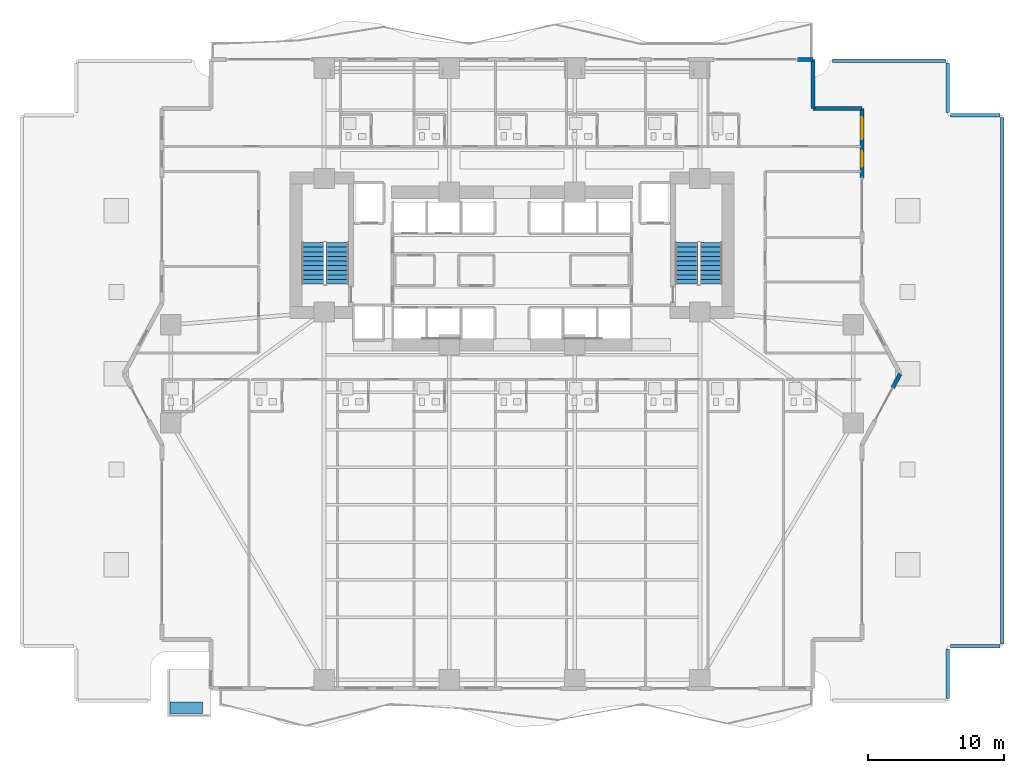
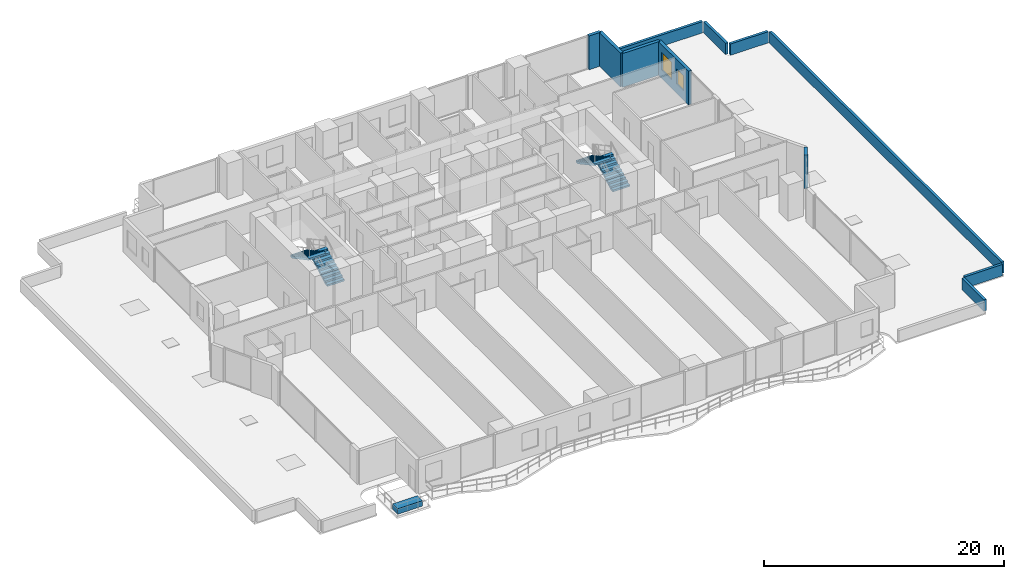
# One storey, part 25 of 30: 11 walls, 4 stair flights, 2 windows, 1 building element part, 2 openings, 2 elements without a shape of their own.
"""IFC4 building model written with IfcOpenShell, lengths in metres."""

from ifc_helpers import new_model, si_unit, direction, frame, frame_2d, origin, origin_2d, place, context, subcontext, project, spatial, polyline, rectangle, outline, extrude, material, layer, layer_set, type_object, element, fill, aggregate, save


model = new_model("IFC4")

# Units and contexts
model_context = context("Model", 3, precision=1e-05, world=origin(), true_north=direction((0.0, 1.0)))
body_context = subcontext(model_context, "Body", "Model", "MODEL_VIEW")
ifc_project = project(units=[si_unit("LENGTHUNIT", "METRE"), si_unit("AREAUNIT", "SQUARE_METRE"), si_unit("VOLUMEUNIT", "CUBIC_METRE"), si_unit("PLANEANGLEUNIT", "RADIAN"), si_unit("MASSUNIT", "GRAM", prefix="KILO")], contexts=[model_context])

# Site, building, storey
site_placement = place(None, origin())
site = spatial("IfcSite", under=ifc_project, at=site_placement, CompositionType="ELEMENT")
building_placement = place(site_placement, origin())
building = spatial("IfcBuilding", under=site, at=building_placement, Name="Zuhayl Quay Hotel", CompositionType="ELEMENT")
storey_placement = place(building_placement, frame((0.0, 0.0, 27.60009765625)))
storey = spatial("IfcBuildingStorey", under=building, at=storey_placement, Name="L05", CompositionType="ELEMENT", Elevation=27.60009765625)

# Walls
ifc_material_1 = material(Name="Precast concrete C45/55", Category="concrete")
ifc_layer_1 = layer(ifc_material_1, 0.300048828125, Name="Precast concrete C45/55", Category="concrete")
ifc_layer_set_1 = layer_set([ifc_layer_1], Name="Precast concrete C45/55")
wall_type_1 = type_object("IfcWallType", Name="WL_EXT_300", PredefinedType="STANDARD", material=ifc_layer_set_1)
wall_1_placement = place(storey_placement, frame((20.949951171875, 23.10009765625, 0.0), z_axis=(0.0, 0.0, 1.0), x_axis=(1.0, 0.0, 0.0)))
element("IfcWall", 1, at=wall_1_placement, inside=storey, type_object=wall_type_1, Name="L05 Exterior Precast Wall ENV_L05_N_EW5", PredefinedType="STANDARD", context=body_context, shape_type="SweptSolid", body=[
    extrude(rectangle(XDim=1.150146484375, YDim=0.300048828125, at=frame_2d((0.5751953125, 0.0))), origin(), (0.0, 0.0, 1.0), 3.429931640625),
])
wall_2_placement = place(storey_placement, frame((22.10009765625, 23.10009765625, 0.0), z_axis=(0.0, 0.0, 1.0), x_axis=(0.0, -1.0, 0.0)))
element("IfcWall", 2, at=wall_2_placement, inside=storey, type_object=wall_type_1, Name="L05 Exterior Precast Wall ENV_L05_EW09", PredefinedType="STANDARD", context=body_context, shape_type="SweptSolid", body=[
    extrude(rectangle(XDim=3.60009765625, YDim=0.300048828125, at=frame_2d((1.800048828125, 0.0))), origin(), (0.0, 0.0, 1.0), 3.429931640625),
])
wall_3_placement = place(storey_placement, frame((22.10009765625, 19.5, 0.0), z_axis=(0.0, 0.0, 1.0), x_axis=(1.0, 0.0, 0.0)))
element("IfcWall", 3, at=wall_3_placement, inside=storey, type_object=wall_type_1, Name="L05 Exterior Precast Wall ENV_L05_EW10", PredefinedType="STANDARD", context=body_context, shape_type="SweptSolid", body=[
    extrude(rectangle(XDim=3.599853515625, YDim=0.300048828125, at=frame_2d((1.7998046875, 0.0))), origin(), (0.0, 0.0, 1.0), 3.429931640625),
])

# Wall, openings, windows
wall_4_placement = place(storey_placement, frame((25.699951171875, 19.5, 0.0), z_axis=(0.0, 0.0, 1.0), x_axis=(0.0, -1.0, 0.0)))
wall_4 = element("IfcWall", 4, at=wall_4_placement, inside=storey, type_object=wall_type_1, Name="L05 Exterior Precast Wall ENV_L05_E11_EW1", PredefinedType="STANDARD", context=body_context, shape_type="SweptSolid", body=[
    extrude(rectangle(XDim=5.10009765625, YDim=0.300048828125, at=frame_2d((2.550048828125, 0.0))), origin(), (0.0, 0.0, 1.0), 3.429931640625),
])
opening_1_placement = place(wall_4_placement, frame((0.659912109375, 0.0, 0.85009765625)))
opening_1 = element("IfcOpeningElement", 5, at=opening_1_placement, cuts=wall_4, Name="Opening W01", PredefinedType="OPENING", context=body_context, shape_type="SweptSolid", body=[
    extrude(rectangle(XDim=1.60009765625, YDim=1.800048828125, at=frame_2d((0.800048828125, 0.89990234375))), frame((0.0, 0.159912109375, 0.0), z_axis=(0.0, -1.0, 0.0), x_axis=(1.0, 0.0, 0.0)), (0.0, 0.0, 1.0), 0.320068359375),
])
opening_2_placement = place(wall_4_placement, frame((3.14990234375, 0.0, 0.949951171875)))
opening_2 = element("IfcOpeningElement", 6, at=opening_2_placement, cuts=wall_4, Name="Opening W01N", PredefinedType="OPENING", context=body_context, shape_type="SweptSolid", body=[
    extrude(rectangle(XDim=1.14990234375, YDim=1.550048828125, at=frame_2d((0.574951171875, 0.77490234375))), frame((0.0, 0.159912109375, 0.0), z_axis=(0.0, -1.0, 0.0), x_axis=(1.0, 0.0, 0.0)), (0.0, 0.0, 1.0), 0.320068359375),
])
ifc_material_2 = material(Name="Dark Ceramic-Fritted Solar Glass", Category="glass")
window_type_1 = type_object("IfcWindowType", Name="WN_NOTCH_1350", PartitioningType="SINGLE_PANEL", PredefinedType="WINDOW", material=ifc_material_2)
window_1_placement = place(opening_2_placement, origin())
window_1 = element("IfcWindow", 7, at=window_1_placement, inside=storey, type_object=window_type_1, Name="L05 Operable Facade Window 1-2", OverallHeight=1.550048828125, OverallWidth=1.14990234375, PartitioningType="SINGLE_PANEL", PredefinedType="WINDOW", context=body_context, shape_type="SweptSolid", body=[
    extrude(rectangle(XDim=1.14990234375, YDim=1.550048828125, at=frame_2d((0.574951171875, 0.77490234375))), frame((0.0, 0.030029296875, 0.0), z_axis=(0.0, -1.0, 0.0), x_axis=(1.0, 0.0, 0.0)), (0.0, 0.0, 1.0), 0.06005859375),
])
fill(opening_2, window_1)
window_type_2 = type_object("IfcWindowType", Name="WN_OPERABLE_1600", PartitioningType="DOUBLE_PANEL_VERTICAL", PredefinedType="WINDOW", material=ifc_material_2)
window_2_placement = place(opening_1_placement, origin())
window_2 = element("IfcWindow", 8, at=window_2_placement, inside=storey, type_object=window_type_2, Name="L05 Operable Facade Window 1-1", OverallHeight=1.800048828125, OverallWidth=1.60009765625, PartitioningType="SINGLE_PANEL", PredefinedType="WINDOW", context=body_context, shape_type="SweptSolid", body=[
    extrude(rectangle(XDim=1.60009765625, YDim=1.800048828125, at=frame_2d((0.800048828125, 0.89990234375))), frame((0.0, 0.030029296875, 0.0), z_axis=(0.0, -1.0, 0.0), x_axis=(1.0, 0.0, 0.0)), (0.0, 0.0, 1.0), 0.06005859375),
])
fill(opening_1, window_2)

# Walls
wall_5_placement = place(storey_placement, frame((28.5, 0.0, 0.0), z_axis=(0.0, 0.0, 1.0), x_axis=(-0.474099823035, -0.880471099922, 0.0)))
element("IfcWall", 9, at=wall_5_placement, inside=storey, type_object=wall_type_1, Name="L05 Exterior Precast Wall ENV_L05_E13_EW1", PredefinedType="STANDARD", context=body_context, shape_type="SweptSolid", body=[
    extrude(rectangle(XDim=1.14990234375, YDim=0.300048828125, at=frame_2d((0.574951171875, 0.0))), origin(), (0.0, 0.0, 1.0), 3.429931640625),
])
ifc_layer_2 = layer(ifc_material_1, 0.25, Name="Precast concrete C45/55", Category="concrete")
ifc_layer_set_2 = layer_set([ifc_layer_2], Name="Precast concrete C45/55")
wall_type_2 = type_object("IfcWallType", Name="WL_PARAPET_250", PredefinedType="PARAPET", material=ifc_layer_set_2)
wall_6_placement = place(storey_placement, frame((23.525146484375, 23.0, 0.0), z_axis=(0.0, 0.0, 1.0), x_axis=(1.0, 0.0, 0.0)))
element("IfcWall", 10, at=wall_6_placement, inside=storey, type_object=wall_type_2, Name="L05 Setback Roof Parapet 2-43", PredefinedType="PARAPET", context=body_context, shape_type="SweptSolid", body=[
    extrude(rectangle(XDim=8.294921875, YDim=0.25, at=frame_2d((4.1474609375, 0.0))), origin(), (0.0, 0.0, 1.0), 1.14990234375),
])
for number, where, z_axis, x_axis, name in (
    (11, (32.0, 22.820068359375, 0.0), (0.0, 0.0, 1.0), (0.0, -1.0, 0.0), "L05 Setback Roof Parapet 2-44"),
    (12, (32.179931640625, 19.0, 0.0), (0.0, 0.0, 1.0), (1.0, 0.0, 0.0), "L05 Setback Roof Parapet 2-45"),
):
    element("IfcWall", number, at=place(storey_placement, frame(where, z_axis=z_axis, x_axis=x_axis)), inside=storey, type_object=wall_type_2, Name=name, PredefinedType="PARAPET", context=body_context, shape_type="SweptSolid", body=[
        extrude(rectangle(XDim=3.64013671875, YDim=0.25, at=frame_2d((1.820068359375, 0.0))), origin(), (0.0, 0.0, 1.0), 1.14990234375),
    ])
wall_7_placement = place(storey_placement, frame((36.0, 18.820068359375, 0.0), z_axis=(0.0, 0.0, 1.0), x_axis=(0.0, -1.0, 0.0)))
element("IfcWall", 13, at=wall_7_placement, inside=storey, type_object=wall_type_2, Name="L05 Setback Roof Parapet 2-46", PredefinedType="PARAPET", context=body_context, shape_type="SweptSolid", body=[
    extrude(rectangle(XDim=38.64013671875, YDim=0.25, at=frame_2d((19.320068359375, 0.0))), origin(), (0.0, 0.0, 1.0), 1.14990234375),
])
for number, where, z_axis, x_axis, name in (
    (14, (35.820068359375, -20.0, 0.0), (0.0, 0.0, 1.0), (-1.0, 0.0, 0.0), "L05 Setback Roof Parapet 2-47"),
    (15, (32.0, -20.179931640625, 0.0), (0.0, 0.0, 1.0), (0.0, -1.0, 0.0), "L05 Setback Roof Parapet 2-48"),
):
    element("IfcWall", number, at=place(storey_placement, frame(where, z_axis=z_axis, x_axis=x_axis)), inside=storey, type_object=wall_type_2, Name=name, PredefinedType="PARAPET", context=body_context, shape_type="SweptSolid", body=[
        extrude(rectangle(XDim=3.64013671875, YDim=0.25, at=frame_2d((1.820068359375, 0.0))), origin(), (0.0, 0.0, 1.0), 1.14990234375),
    ])

# Stair, stair flights
ifc_material_3 = material(Name="Concrete C45/55", Category="concrete")
stair_type = type_object("IfcStairType", Name="ST_DOGLEG_TOWER", PredefinedType="HALF_TURN_STAIR", material=ifc_material_3)
stair_1_placement = place(storey_placement, origin())
stair_1 = element("IfcStair", 16, at=stair_1_placement, inside=storey, type_object=stair_type, Name="L05 Smokeproof Exit Stair ST1", PredefinedType="HALF_TURN_STAIR")
ifc_layer_3 = layer(ifc_material_3, 0.159912109375, Name="Concrete C45/55", Category="concrete")
ifc_layer_set_3 = layer_set([ifc_layer_3], Name="Concrete C45/55")
stair_flight_type = type_object("IfcStairFlightType", Name="SF_CONC_164", PredefinedType="STRAIGHT", material=ifc_layer_set_3)
stair_flight_1_placement = place(storey_placement, frame((-12.820068359375, 6.590087890625, 0.0), z_axis=(0.0, 0.0, 1.0), x_axis=(0.0, 1.0, 0.0)))
stair_flight_1 = element("IfcStairFlight", 17, at=stair_flight_1_placement, type_object=stair_flight_type, Name="ST1 flight 1", NumberOfRisers=10, NumberOfTreads=9, PredefinedType="STRAIGHT", RiserHeight=0.1825, TreadLength=0.34, context=body_context, shape_type="SweptSolid", body=[
    extrude(outline(polyline([(0.0, 0.0), (0.0, 0.1826171875), (0.340087890625, 0.1826171875), (0.340087890625, 0.364990234375), (0.679931640625, 0.364990234375), (0.679931640625, 0.547607421875), (1.02001953125, 0.547607421875), (1.02001953125, 0.72998046875), (1.360107421875, 0.72998046875), (1.360107421875, 0.91259765625), (1.699951171875, 0.91259765625), (1.699951171875, 1.094970703125), (2.0400390625, 1.094970703125), (2.0400390625, 1.277587890625), (2.3798828125, 1.277587890625), (2.3798828125, 1.4599609375), (2.719970703125, 1.4599609375), (2.719970703125, 1.642578125), (3.06005859375, 1.642578125), (3.06005859375, 1.824951171875), (3.06005859375, 1.472412109375), (0.31689453125, 0.0), (0.0, 0.0)])), frame((0.0, 0.81982421875, 0.0), z_axis=(0.0, -1.0, 0.0), x_axis=(1.0, 0.0, 0.0)), (0.0, 0.0, 1.0), 1.639892578125),
])
stair_flight_2_placement = place(storey_placement, frame((-14.610107421875, 9.64990234375, 1.824951171875), z_axis=(0.0, 0.0, 1.0), x_axis=(0.0, -1.0, 0.0)))
stair_flight_2 = element("IfcStairFlight", 18, at=stair_flight_2_placement, type_object=stair_flight_type, Name="ST1 flight 2", NumberOfRisers=10, NumberOfTreads=9, PredefinedType="STRAIGHT", RiserHeight=0.1825, TreadLength=0.34, context=body_context, shape_type="SweptSolid", body=[
    extrude(outline(polyline([(0.0, 0.0), (0.0, 0.1826171875), (0.340087890625, 0.1826171875), (0.340087890625, 0.364990234375), (0.679931640625, 0.364990234375), (0.679931640625, 0.547607421875), (1.02001953125, 0.547607421875), (1.02001953125, 0.72998046875), (1.360107421875, 0.72998046875), (1.360107421875, 0.91259765625), (1.699951171875, 0.91259765625), (1.699951171875, 1.094970703125), (2.0400390625, 1.094970703125), (2.0400390625, 1.277587890625), (2.3798828125, 1.277587890625), (2.3798828125, 1.4599609375), (2.719970703125, 1.4599609375), (2.719970703125, 1.642578125), (3.06005859375, 1.642578125), (3.06005859375, 1.824951171875), (3.06005859375, 1.472412109375), (0.31689453125, 0.0), (0.0, 0.0)])), frame((0.0, 0.81982421875, 0.0), z_axis=(0.0, -1.0, 0.0), x_axis=(1.0, 0.0, 0.0)), (0.0, 0.0, 1.0), 1.639892578125),
])
aggregate(stair_1, [stair_flight_1, stair_flight_2])

stair_2_placement = place(storey_placement, origin())
stair_2 = element("IfcStair", 19, at=stair_2_placement, inside=storey, type_object=stair_type, Name="L05 Smokeproof Exit Stair ST2", PredefinedType="HALF_TURN_STAIR")
stair_flight_3_placement = place(storey_placement, frame((14.610107421875, 6.590087890625, 0.0), z_axis=(0.0, 0.0, 1.0), x_axis=(0.0, 1.0, 0.0)))
stair_flight_3 = element("IfcStairFlight", 20, at=stair_flight_3_placement, type_object=stair_flight_type, Name="ST2 flight 1", NumberOfRisers=10, NumberOfTreads=9, PredefinedType="STRAIGHT", RiserHeight=0.1825, TreadLength=0.34, context=body_context, shape_type="SweptSolid", body=[
    extrude(outline(polyline([(0.0, 0.0), (0.0, 0.1826171875), (0.340087890625, 0.1826171875), (0.340087890625, 0.364990234375), (0.679931640625, 0.364990234375), (0.679931640625, 0.547607421875), (1.02001953125, 0.547607421875), (1.02001953125, 0.72998046875), (1.360107421875, 0.72998046875), (1.360107421875, 0.91259765625), (1.699951171875, 0.91259765625), (1.699951171875, 1.094970703125), (2.0400390625, 1.094970703125), (2.0400390625, 1.277587890625), (2.3798828125, 1.277587890625), (2.3798828125, 1.4599609375), (2.719970703125, 1.4599609375), (2.719970703125, 1.642578125), (3.06005859375, 1.642578125), (3.06005859375, 1.824951171875), (3.06005859375, 1.472412109375), (0.31689453125, 0.0), (0.0, 0.0)])), frame((0.0, 0.81982421875, 0.0), z_axis=(0.0, -1.0, 0.0), x_axis=(1.0, 0.0, 0.0)), (0.0, 0.0, 1.0), 1.639892578125),
])
stair_flight_4_placement = place(storey_placement, frame((12.820068359375, 9.64990234375, 1.824951171875), z_axis=(0.0, 0.0, 1.0), x_axis=(0.0, -1.0, 0.0)))
stair_flight_4 = element("IfcStairFlight", 21, at=stair_flight_4_placement, type_object=stair_flight_type, Name="ST2 flight 2", NumberOfRisers=10, NumberOfTreads=9, PredefinedType="STRAIGHT", RiserHeight=0.1825, TreadLength=0.34, context=body_context, shape_type="SweptSolid", body=[
    extrude(outline(polyline([(0.0, 0.0), (0.0, 0.1826171875), (0.340087890625, 0.1826171875), (0.340087890625, 0.364990234375), (0.679931640625, 0.364990234375), (0.679931640625, 0.547607421875), (1.02001953125, 0.547607421875), (1.02001953125, 0.72998046875), (1.360107421875, 0.72998046875), (1.360107421875, 0.91259765625), (1.699951171875, 0.91259765625), (1.699951171875, 1.094970703125), (2.0400390625, 1.094970703125), (2.0400390625, 1.277587890625), (2.3798828125, 1.277587890625), (2.3798828125, 1.4599609375), (2.719970703125, 1.4599609375), (2.719970703125, 1.642578125), (3.06005859375, 1.642578125), (3.06005859375, 1.824951171875), (3.06005859375, 1.472412109375), (0.31689453125, 0.0), (0.0, 0.0)])), frame((0.0, 0.81982421875, 0.0), z_axis=(0.0, -1.0, 0.0), x_axis=(1.0, 0.0, 0.0)), (0.0, 0.0, 1.0), 1.639892578125),
])
aggregate(stair_2, [stair_flight_3, stair_flight_4])

# Building element part
ifc_layer_4 = layer(ifc_material_1, 0.550048828125, Name="Precast concrete C45/55", Category="concrete")
ifc_layer_set_4 = layer_set([ifc_layer_4], Name="Precast concrete C45/55")
building_element_part_type = type_object("IfcBuildingElementPartType", Name="PT_PLANTER_KERB", PredefinedType="PRECASTPANEL", material=ifc_layer_set_4)
building_element_part_placement = place(storey_placement, frame((-23.909912109375, -24.510009765625, 0.0), z_axis=(0.0, 0.0, 1.0), x_axis=(1.0, 0.0, 0.0)))
element("IfcBuildingElementPart", 22, at=building_element_part_placement, inside=storey, type_object=building_element_part_type, Name="L05 Spiral Sky-Terrace Planter Box SW", PredefinedType="PRECASTPANEL", context=body_context, shape_type="SweptSolid", body=[
    extrude(rectangle(XDim=2.39990234375, YDim=0.85009765625, at=origin_2d()), origin(), (0.0, 0.0, 1.0), 0.550048828125),
])

save(model, "model.ifc")
